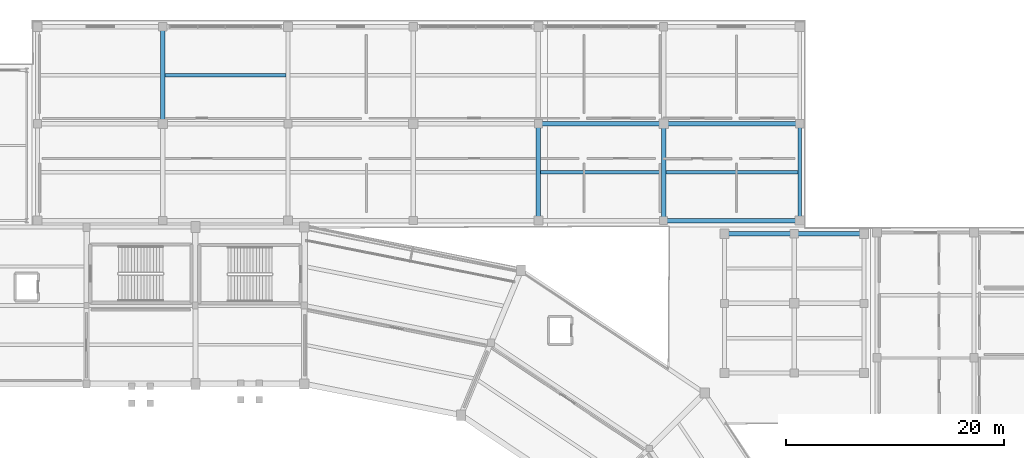
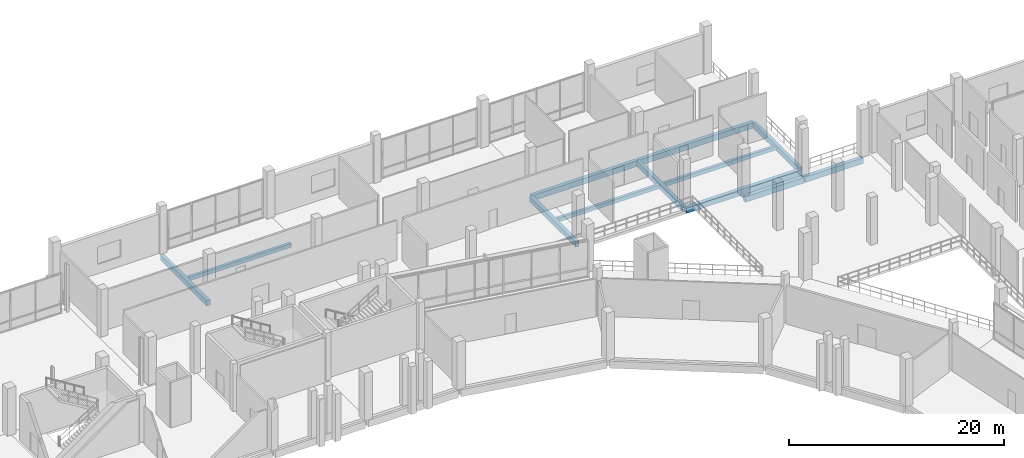
# One storey, part 58 of 114: 12 beams.
"""IFC4 building model written with IfcOpenShell, lengths in metres."""

from ifc_helpers import new_model, si_unit, direction, frame, origin, origin_2d, place, context, subcontext, project, spatial, rectangle, extrude, material, material_profile, profile_set, type_object, element, save


model = new_model("IFC4")

# Units and contexts
model_context = context("Model", 3, precision=1e-05, world=origin(), true_north=direction((0.0, 1.0)))
body_context = subcontext(model_context, "Body", "Model", "MODEL_VIEW")
ifc_project = project(units=[si_unit("LENGTHUNIT", "METRE"), si_unit("AREAUNIT", "SQUARE_METRE"), si_unit("VOLUMEUNIT", "CUBIC_METRE"), si_unit("PLANEANGLEUNIT", "RADIAN"), si_unit("MASSUNIT", "GRAM", prefix="KILO")], contexts=[model_context])

# Site, building, storey
site_placement = place(None, origin())
site = spatial("IfcSite", under=ifc_project, at=site_placement, CompositionType="ELEMENT")
building_placement = place(site_placement, origin())
building = spatial("IfcBuilding", under=site, at=building_placement, Name="Candeia Ridge Stadium", CompositionType="ELEMENT")
storey_placement = place(building_placement, frame((0.0, 0.0, 5.39990234375)))
storey = spatial("IfcBuildingStorey", under=building, at=storey_placement, Name="L01", CompositionType="ELEMENT", Elevation=5.39990234375)

# Beams
ifc_material = material(Name="Concrete C40/50", Category="concrete")
ifc_material_profile_1 = material_profile(ifc_material, rectangle(XDim=0.300048828125, YDim=0.449951171875, at=origin_2d()), Name="RC300x450", Category="concrete")
ifc_profile_set_1 = profile_set([ifc_material_profile_1], Name="Concrete C40/50")
beam_type_1 = type_object("IfcBeamType", Name="Floor Joist RC300x450", PredefinedType="JOIST", material=ifc_profile_set_1)
for number, where, z_axis, x_axis, name in (
    (1, (128.199462890625, 160.949951171875, -0.48486328125), (1.0, 0.0, 0.0), (0.0, 1.0, 0.0), "Wing secondary joist BM-L01-1592"),
    (2, (162.699462890625, 152.050048828125, -0.48486328125), (1.0, 0.0, 0.0), (0.0, 1.0, 0.0), "Wing secondary joist BM-L01-1605"),
):
    element("IfcBeam", number, at=place(storey_placement, frame(where, z_axis=z_axis, x_axis=x_axis)), inside=storey, type_object=beam_type_1, Name=name, PredefinedType="JOIST", context=body_context, shape_type="SweptSolid", body=[
        extrude(rectangle(XDim=0.300048828125, YDim=0.449951171875, at=origin_2d()), origin(), (0.0, 0.0, 1.0), 11.10107421875),
    ])
beam_1_placement = place(storey_placement, frame((174.199462890625, 152.050048828125, -0.48486328125), z_axis=(1.0, 0.0, 0.0), x_axis=(0.0, 1.0, 0.0)))
element("IfcBeam", 3, at=beam_1_placement, inside=storey, type_object=beam_type_1, Name="Wing secondary joist BM-L01-1610", PredefinedType="JOIST", context=body_context, shape_type="SweptSolid", body=[
    extrude(rectangle(XDim=0.300048828125, YDim=0.449951171875, at=origin_2d()), origin(), (0.0, 0.0, 1.0), 12.1259765625),
])
ifc_material_profile_2 = material_profile(ifc_material, rectangle(XDim=0.39990234375, YDim=0.60009765625, at=origin_2d()), Name="RC400x600", Category="concrete")
ifc_profile_set_2 = profile_set([ifc_material_profile_2], Name="Concrete C40/50")
beam_type_2 = type_object("IfcBeamType", Name="Frame Girder RC400x600", PredefinedType="BEAM", material=ifc_profile_set_2)
for number, where, z_axis, x_axis, name in (
    (4, (128.0, 156.659912109375, -0.559814453125), (0.0, 1.0, 0.0), (-1.0, 0.0, 0.0), "Structural girder BM-L01-1573"),
    (5, (162.5, 147.760009765625, -0.559814453125), (0.0, 1.0, 0.0), (-1.0, 0.0, 0.0), "Structural girder BM-L01-1578"),
    (6, (174.0, 147.760009765625, -0.559814453125), (0.0, 1.0, 0.0), (-1.0, 0.0, 0.0), "Structural girder BM-L01-1580"),
):
    element("IfcBeam", number, at=place(storey_placement, frame(where, z_axis=z_axis, x_axis=x_axis)), inside=storey, type_object=beam_type_2, Name=name, PredefinedType="BEAM", context=body_context, shape_type="SweptSolid", body=[
        extrude(rectangle(XDim=0.39990234375, YDim=0.60009765625, at=origin_2d()), origin(), (0.0, 0.0, 1.0), 8.580078125),
    ])
ifc_material_profile_3 = material_profile(ifc_material, rectangle(XDim=0.35009765625, YDim=0.64990234375, at=origin_2d()), Name="RC350x650", Category="concrete")
ifc_profile_set_3 = profile_set([ifc_material_profile_3], Name="Concrete C40/50")
beam_type_3 = type_object("IfcBeamType", Name="Spandrel Beam RC350x650", PredefinedType="SPANDREL", material=ifc_profile_set_3)
beam_2_placement = place(storey_placement, frame((186.5, 147.760009765625, -0.5849609375), z_axis=(0.0, 1.0, 0.0), x_axis=(-1.0, 0.0, 0.0)))
element("IfcBeam", 7, at=beam_2_placement, inside=storey, type_object=beam_type_3, Name="Structural girder BM-L01-1582", PredefinedType="SPANDREL", context=body_context, shape_type="SweptSolid", body=[
    extrude(rectangle(XDim=0.35009765625, YDim=0.64990234375, at=origin_2d()), origin(), (0.0, 0.0, 1.0), 8.580078125),
])
ifc_material_profile_4 = material_profile(ifc_material, rectangle(XDim=0.39990234375, YDim=0.64990234375, at=origin_2d()), Name="RC400x650", Category="concrete")
ifc_profile_set_4 = profile_set([ifc_material_profile_4], Name="Concrete C40/50")
beam_type_4 = type_object("IfcBeamType", Name="Wing Primary Girder RC400x650", PredefinedType="BEAM", material=ifc_profile_set_4)
beam_3_placement = place(storey_placement, frame((162.550048828125, 156.5, -0.5849609375), z_axis=(1.0, 0.0, 0.0), x_axis=(0.0, 1.0, 0.0)))
element("IfcBeam", 8, at=beam_3_placement, inside=storey, type_object=beam_type_4, Name="Structural girder BM-L01-1606", PredefinedType="BEAM", context=body_context, shape_type="SweptSolid", body=[
    extrude(rectangle(XDim=0.39990234375, YDim=0.64990234375, at=origin_2d()), origin(), (0.0, 0.0, 1.0), 11.39990234375),
])
for number, where, z_axis, x_axis, name in (
    (9, (174.050048828125, 147.60009765625, -0.5849609375), (1.0, 0.0, 0.0), (0.0, 1.0, 0.0), "Structural girder BM-L01-1609"),
    (10, (174.050048828125, 156.5, -0.5849609375), (1.0, 0.0, 0.0), (0.0, 1.0, 0.0), "Structural girder BM-L01-1611"),
):
    element("IfcBeam", number, at=place(storey_placement, frame(where, z_axis=z_axis, x_axis=x_axis)), inside=storey, type_object=beam_type_4, Name=name, PredefinedType="BEAM", context=body_context, shape_type="SweptSolid", body=[
        extrude(rectangle(XDim=0.39990234375, YDim=0.64990234375, at=origin_2d()), origin(), (0.0, 0.0, 1.0), 12.39990234375),
    ])
for number, where, z_axis, x_axis, name in (
    (11, (179.64990234375, 146.39990234375, -0.5849609375), (1.0, 0.0, 0.0), (0.0, 1.0, 0.0), "Structural girder BM-L01-2102"),
    (12, (186.050048828125, 146.39990234375, -0.5849609375), (1.0, 0.0, 0.0), (0.0, 1.0, 0.0), "Structural girder BM-L01-2107"),
):
    element("IfcBeam", number, at=place(storey_placement, frame(where, z_axis=z_axis, x_axis=x_axis)), inside=storey, type_object=beam_type_4, Name=name, PredefinedType="BEAM", context=body_context, shape_type="SweptSolid", body=[
        extrude(rectangle(XDim=0.39990234375, YDim=0.64990234375, at=origin_2d()), origin(), (0.0, 0.0, 1.0), 6.300048828125),
    ])

save(model, "model.ifc")
